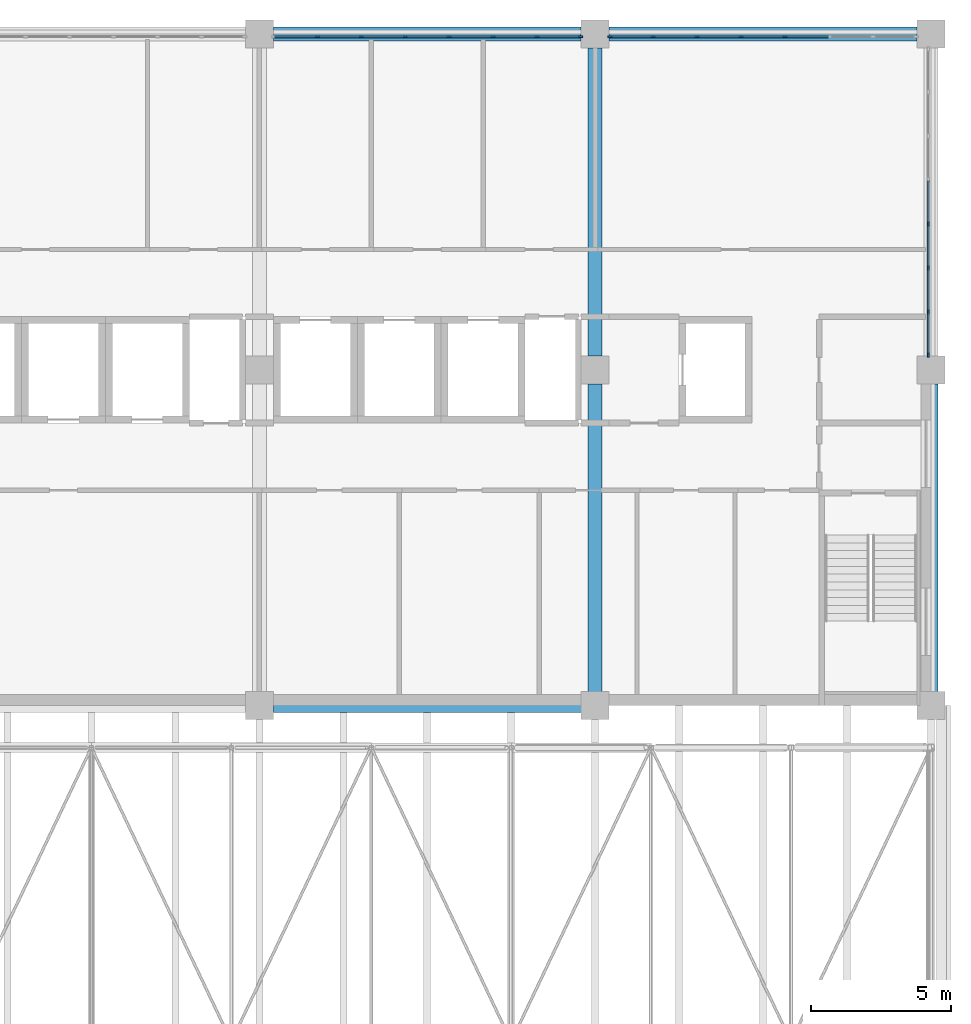
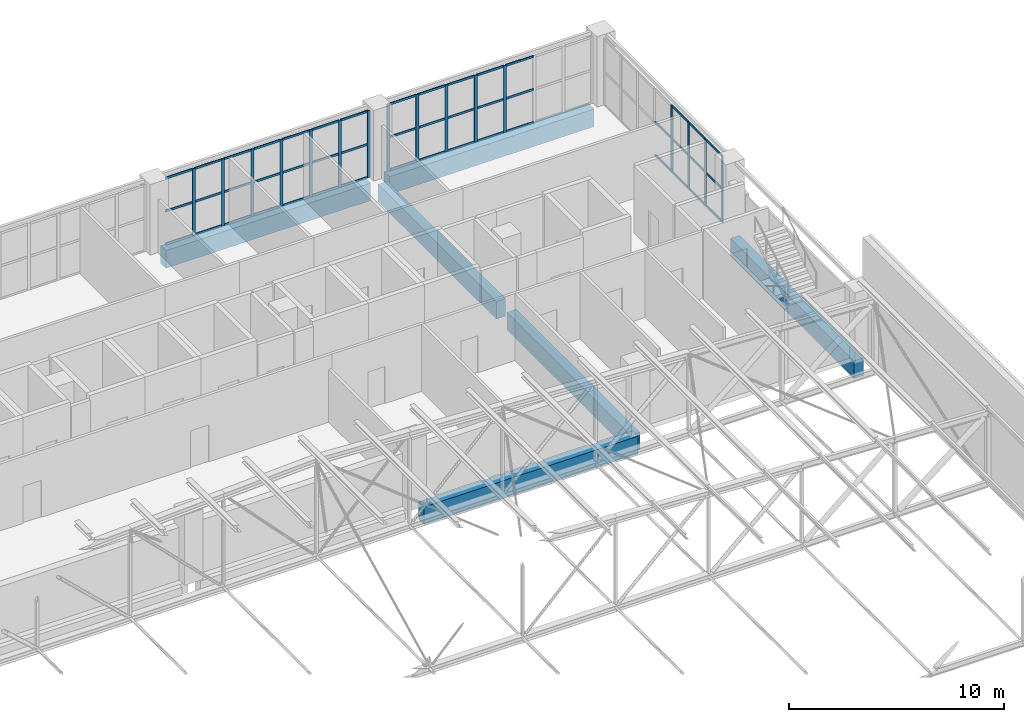
# One storey, part 132 of 156: 63 members, 6 beams, 3 elements without a shape of their own.
"""IFC4 building model written with IfcOpenShell, lengths in metres."""

from ifc_helpers import new_model, si_unit, direction, frame, origin, origin_2d, place, context, subcontext, project, spatial, rectangle, extrude, material, layer, layer_set, material_profile, profile_set, type_object, element, aggregate, save


model = new_model("IFC4")

# Units and contexts
model_context = context("Model", 3, precision=1e-05, world=origin(), true_north=direction((0.0, 1.0)))
body_context = subcontext(model_context, "Body", "Model", "MODEL_VIEW")
ifc_project = project(units=[si_unit("LENGTHUNIT", "METRE"), si_unit("AREAUNIT", "SQUARE_METRE"), si_unit("VOLUMEUNIT", "CUBIC_METRE"), si_unit("PLANEANGLEUNIT", "RADIAN"), si_unit("MASSUNIT", "GRAM", prefix="KILO")], contexts=[model_context])

# Site, building, storey
site_placement = place(None, origin())
site = spatial("IfcSite", under=ifc_project, at=site_placement, CompositionType="ELEMENT")
building_placement = place(site_placement, origin())
building = spatial("IfcBuilding", under=site, at=building_placement, Name="Lilac Gate Convention Centre", CompositionType="ELEMENT")
storey_placement = place(building_placement, frame((0.0, 0.0, 17.0)))
storey = spatial("IfcBuildingStorey", under=building, at=storey_placement, Name="L03", CompositionType="ELEMENT", Elevation=17.0)

# Curtain wall, members
ifc_material_1 = material(Name="Aluminium framed double glazing", Category="aluminium")
ifc_layer = layer(ifc_material_1, 0.199951171875)
ifc_layer_set = layer_set([ifc_layer], Name="Aluminium framed double glazing")
curtain_wall_type = type_object("IfcCurtainWallType", Name="Unitised curtain wall 1500", PredefinedType="NOTDEFINED", material=ifc_layer_set)
curtain_wall_1_placement = place(storey_placement, origin())
curtain_wall_1 = element("IfcCurtainWall", 1, at=curtain_wall_1_placement, inside=storey, type_object=curtain_wall_type, Name="Curtain wall E L03 2", PredefinedType="NOTDEFINED")
ifc_material_2 = material(Name="Aluminium alloy 6063", Category="aluminium")
ifc_material_profile_1 = material_profile(ifc_material_2, rectangle(XDim=0.06005859375, YDim=0.159912109375, at=origin_2d()), Name="Curtain wall mullion 60 x 160")
ifc_profile_set_1 = profile_set([ifc_material_profile_1], Name="Aluminium alloy 6063")
member_type_1 = type_object("IfcMemberType", Name="Curtain wall mullion 60 x 160", PredefinedType="MULLION", material=ifc_profile_set_1)
member_1_placement = place(storey_placement, frame((89.89990234375, 234.530029296875, 0.0), z_axis=(0.0, 0.0, 1.0), x_axis=(-1.0, 0.0, 0.0)))
member_1 = element("IfcMember", 2, at=member_1_placement, type_object=member_type_1, Name="CW mullion 1", PredefinedType="MULLION", context=body_context, shape_type="SweptSolid", body=[
    extrude(rectangle(XDim=0.06005859375, YDim=0.159912109375, at=origin_2d()), origin(), (0.0, 0.0, 1.0), 3.800048828125),
])
member_2_placement = place(storey_placement, frame((89.89990234375, 236.071533203125, 0.0), z_axis=(0.0, 0.0, 1.0), x_axis=(-1.0, 0.0, 0.0)))
member_2 = element("IfcMember", 3, at=member_2_placement, type_object=member_type_1, Name="CW mullion 2", PredefinedType="MULLION", context=body_context, shape_type="SweptSolid", body=[
    extrude(rectangle(XDim=0.06005859375, YDim=0.159912109375, at=origin_2d()), origin(), (0.0, 0.0, 1.0), 3.800048828125),
])
member_3_placement = place(storey_placement, frame((89.89990234375, 237.642822265625, 0.0), z_axis=(0.0, 0.0, 1.0), x_axis=(-1.0, 0.0, 0.0)))
member_3 = element("IfcMember", 4, at=member_3_placement, type_object=member_type_1, Name="CW mullion 3", PredefinedType="MULLION", context=body_context, shape_type="SweptSolid", body=[
    extrude(rectangle(XDim=0.06005859375, YDim=0.159912109375, at=origin_2d()), origin(), (0.0, 0.0, 1.0), 3.800048828125),
])
member_4_placement = place(storey_placement, frame((89.89990234375, 239.21435546875, 0.0), z_axis=(0.0, 0.0, 1.0), x_axis=(-1.0, 0.0, 0.0)))
member_4 = element("IfcMember", 5, at=member_4_placement, type_object=member_type_1, Name="CW mullion 4", PredefinedType="MULLION", context=body_context, shape_type="SweptSolid", body=[
    extrude(rectangle(XDim=0.06005859375, YDim=0.159912109375, at=origin_2d()), origin(), (0.0, 0.0, 1.0), 3.800048828125),
])

curtain_wall_2_placement = place(storey_placement, origin())
curtain_wall_2 = element("IfcCurtainWall", 6, at=curtain_wall_2_placement, inside=storey, type_object=curtain_wall_type, Name="Curtain wall N L03 1", PredefinedType="NOTDEFINED")
member_5_placement = place(storey_placement, frame((84.78564453125, 245.89990234375, 0.0), z_axis=(0.0, 0.0, 1.0), x_axis=(0.0, -1.0, 0.0)))
member_5 = element("IfcMember", 7, at=member_5_placement, type_object=member_type_1, Name="CW mullion 4", PredefinedType="MULLION", context=body_context, shape_type="SweptSolid", body=[
    extrude(rectangle(XDim=0.06005859375, YDim=0.159912109375, at=origin_2d()), origin(), (0.0, 0.0, 1.0), 3.800048828125),
])
member_6_placement = place(storey_placement, frame((83.21435546875, 245.89990234375, 0.0), z_axis=(0.0, 0.0, 1.0), x_axis=(0.0, -1.0, 0.0)))
member_6 = element("IfcMember", 8, at=member_6_placement, type_object=member_type_1, Name="CW mullion 5", PredefinedType="MULLION", context=body_context, shape_type="SweptSolid", body=[
    extrude(rectangle(XDim=0.06005859375, YDim=0.159912109375, at=origin_2d()), origin(), (0.0, 0.0, 1.0), 3.800048828125),
])
member_7_placement = place(storey_placement, frame((81.642822265625, 245.89990234375, 0.0), z_axis=(0.0, 0.0, 1.0), x_axis=(0.0, -1.0, 0.0)))
member_7 = element("IfcMember", 9, at=member_7_placement, type_object=member_type_1, Name="CW mullion 6", PredefinedType="MULLION", context=body_context, shape_type="SweptSolid", body=[
    extrude(rectangle(XDim=0.06005859375, YDim=0.159912109375, at=origin_2d()), origin(), (0.0, 0.0, 1.0), 3.800048828125),
])
member_8_placement = place(storey_placement, frame((80.071533203125, 245.89990234375, 0.0), z_axis=(0.0, 0.0, 1.0), x_axis=(0.0, -1.0, 0.0)))
member_8 = element("IfcMember", 10, at=member_8_placement, type_object=member_type_1, Name="CW mullion 7", PredefinedType="MULLION", context=body_context, shape_type="SweptSolid", body=[
    extrude(rectangle(XDim=0.06005859375, YDim=0.159912109375, at=origin_2d()), origin(), (0.0, 0.0, 1.0), 3.800048828125),
])
member_9_placement = place(storey_placement, frame((78.530029296875, 245.89990234375, 0.0), z_axis=(0.0, 0.0, 1.0), x_axis=(0.0, -1.0, 0.0)))
member_9 = element("IfcMember", 11, at=member_9_placement, type_object=member_type_1, Name="CW mullion 8", PredefinedType="MULLION", context=body_context, shape_type="SweptSolid", body=[
    extrude(rectangle(XDim=0.06005859375, YDim=0.159912109375, at=origin_2d()), origin(), (0.0, 0.0, 1.0), 3.800048828125),
])

curtain_wall_3_placement = place(storey_placement, origin())
curtain_wall_3 = element("IfcCurtainWall", 12, at=curtain_wall_3_placement, inside=storey, type_object=curtain_wall_type, Name="Curtain wall N L03 2", PredefinedType="NOTDEFINED")
member_10_placement = place(storey_placement, frame((77.469970703125, 245.89990234375, 0.0), z_axis=(0.0, 0.0, 1.0), x_axis=(0.0, -1.0, 0.0)))
member_10 = element("IfcMember", 13, at=member_10_placement, type_object=member_type_1, Name="CW mullion 1", PredefinedType="MULLION", context=body_context, shape_type="SweptSolid", body=[
    extrude(rectangle(XDim=0.06005859375, YDim=0.159912109375, at=origin_2d()), origin(), (0.0, 0.0, 1.0), 3.800048828125),
])
member_11_placement = place(storey_placement, frame((75.928466796875, 245.89990234375, 0.0), z_axis=(0.0, 0.0, 1.0), x_axis=(0.0, -1.0, 0.0)))
member_11 = element("IfcMember", 14, at=member_11_placement, type_object=member_type_1, Name="CW mullion 2", PredefinedType="MULLION", context=body_context, shape_type="SweptSolid", body=[
    extrude(rectangle(XDim=0.06005859375, YDim=0.159912109375, at=origin_2d()), origin(), (0.0, 0.0, 1.0), 3.800048828125),
])
member_12_placement = place(storey_placement, frame((74.357177734375, 245.89990234375, 0.0), z_axis=(0.0, 0.0, 1.0), x_axis=(0.0, -1.0, 0.0)))
member_12 = element("IfcMember", 15, at=member_12_placement, type_object=member_type_1, Name="CW mullion 3", PredefinedType="MULLION", context=body_context, shape_type="SweptSolid", body=[
    extrude(rectangle(XDim=0.06005859375, YDim=0.159912109375, at=origin_2d()), origin(), (0.0, 0.0, 1.0), 3.800048828125),
])
member_13_placement = place(storey_placement, frame((72.78564453125, 245.89990234375, 0.0), z_axis=(0.0, 0.0, 1.0), x_axis=(0.0, -1.0, 0.0)))
member_13 = element("IfcMember", 16, at=member_13_placement, type_object=member_type_1, Name="CW mullion 4", PredefinedType="MULLION", context=body_context, shape_type="SweptSolid", body=[
    extrude(rectangle(XDim=0.06005859375, YDim=0.159912109375, at=origin_2d()), origin(), (0.0, 0.0, 1.0), 3.800048828125),
])
member_14_placement = place(storey_placement, frame((71.21435546875, 245.89990234375, 0.0), z_axis=(0.0, 0.0, 1.0), x_axis=(0.0, -1.0, 0.0)))
member_14 = element("IfcMember", 17, at=member_14_placement, type_object=member_type_1, Name="CW mullion 5", PredefinedType="MULLION", context=body_context, shape_type="SweptSolid", body=[
    extrude(rectangle(XDim=0.06005859375, YDim=0.159912109375, at=origin_2d()), origin(), (0.0, 0.0, 1.0), 3.800048828125),
])
member_15_placement = place(storey_placement, frame((69.642822265625, 245.89990234375, 0.0), z_axis=(0.0, 0.0, 1.0), x_axis=(0.0, -1.0, 0.0)))
member_15 = element("IfcMember", 18, at=member_15_placement, type_object=member_type_1, Name="CW mullion 6", PredefinedType="MULLION", context=body_context, shape_type="SweptSolid", body=[
    extrude(rectangle(XDim=0.06005859375, YDim=0.159912109375, at=origin_2d()), origin(), (0.0, 0.0, 1.0), 3.800048828125),
])
member_16_placement = place(storey_placement, frame((68.071533203125, 245.89990234375, 0.0), z_axis=(0.0, 0.0, 1.0), x_axis=(0.0, -1.0, 0.0)))
member_16 = element("IfcMember", 19, at=member_16_placement, type_object=member_type_1, Name="CW mullion 7", PredefinedType="MULLION", context=body_context, shape_type="SweptSolid", body=[
    extrude(rectangle(XDim=0.06005859375, YDim=0.159912109375, at=origin_2d()), origin(), (0.0, 0.0, 1.0), 3.800048828125),
])

# Member
ifc_material_profile_2 = material_profile(ifc_material_2, rectangle(XDim=0.06005859375, YDim=0.1201171875, at=origin_2d()), Name="Curtain wall transom 60 x 120")
ifc_profile_set_2 = profile_set([ifc_material_profile_2], Name="Aluminium alloy 6063")
member_type_2 = type_object("IfcMemberType", Name="Curtain wall transom 60 x 120", PredefinedType="USERDEFINED", material=ifc_profile_set_2)
member_17_placement = place(storey_placement, frame((89.89990234375, 234.56005859375, 0.030029296875), z_axis=(0.0, 1.0, 0.0), x_axis=(-1.0, 0.0, 0.0)))
member_17 = element("IfcMember", 20, at=member_17_placement, type_object=member_type_2, Name="CW transom 1.1", ObjectType="TRANSOM", PredefinedType="USERDEFINED", context=body_context, shape_type="SweptSolid", body=[
    extrude(rectangle(XDim=0.06005859375, YDim=0.1201171875, at=origin_2d()), origin(), (0.0, 0.0, 1.0), 1.4814453125),
])

member_18_placement = place(storey_placement, frame((89.89990234375, 234.56005859375, 1.89990234375), z_axis=(0.0, 1.0, 0.0), x_axis=(-1.0, 0.0, 0.0)))
member_18 = element("IfcMember", 21, at=member_18_placement, type_object=member_type_2, Name="CW transom 1.2", ObjectType="TRANSOM", PredefinedType="USERDEFINED", context=body_context, shape_type="SweptSolid", body=[
    extrude(rectangle(XDim=0.06005859375, YDim=0.1201171875, at=origin_2d()), origin(), (0.0, 0.0, 1.0), 1.4814453125),
])

member_19_placement = place(storey_placement, frame((89.89990234375, 234.56005859375, 3.77001953125), z_axis=(0.0, 1.0, 0.0), x_axis=(-1.0, 0.0, 0.0)))
member_19 = element("IfcMember", 22, at=member_19_placement, type_object=member_type_2, Name="CW transom 1.3", ObjectType="TRANSOM", PredefinedType="USERDEFINED", context=body_context, shape_type="SweptSolid", body=[
    extrude(rectangle(XDim=0.06005859375, YDim=0.1201171875, at=origin_2d()), origin(), (0.0, 0.0, 1.0), 1.4814453125),
])

member_20_placement = place(storey_placement, frame((89.89990234375, 236.101318359375, 0.030029296875), z_axis=(0.0, 1.0, 0.0), x_axis=(-1.0, 0.0, 0.0)))
member_20 = element("IfcMember", 23, at=member_20_placement, type_object=member_type_2, Name="CW transom 2.1", ObjectType="TRANSOM", PredefinedType="USERDEFINED", context=body_context, shape_type="SweptSolid", body=[
    extrude(rectangle(XDim=0.06005859375, YDim=0.1201171875, at=origin_2d()), origin(), (0.0, 0.0, 1.0), 1.511474609375),
])

member_21_placement = place(storey_placement, frame((89.89990234375, 236.101318359375, 1.89990234375), z_axis=(0.0, 1.0, 0.0), x_axis=(-1.0, 0.0, 0.0)))
member_21 = element("IfcMember", 24, at=member_21_placement, type_object=member_type_2, Name="CW transom 2.2", ObjectType="TRANSOM", PredefinedType="USERDEFINED", context=body_context, shape_type="SweptSolid", body=[
    extrude(rectangle(XDim=0.06005859375, YDim=0.1201171875, at=origin_2d()), origin(), (0.0, 0.0, 1.0), 1.511474609375),
])

member_22_placement = place(storey_placement, frame((89.89990234375, 236.101318359375, 3.77001953125), z_axis=(0.0, 1.0, 0.0), x_axis=(-1.0, 0.0, 0.0)))
member_22 = element("IfcMember", 25, at=member_22_placement, type_object=member_type_2, Name="CW transom 2.3", ObjectType="TRANSOM", PredefinedType="USERDEFINED", context=body_context, shape_type="SweptSolid", body=[
    extrude(rectangle(XDim=0.06005859375, YDim=0.1201171875, at=origin_2d()), origin(), (0.0, 0.0, 1.0), 1.511474609375),
])

member_23_placement = place(storey_placement, frame((89.89990234375, 237.6728515625, 0.030029296875), z_axis=(0.0, 1.0, 0.0), x_axis=(-1.0, 0.0, 0.0)))
member_23 = element("IfcMember", 26, at=member_23_placement, type_object=member_type_2, Name="CW transom 3.1", ObjectType="TRANSOM", PredefinedType="USERDEFINED", context=body_context, shape_type="SweptSolid", body=[
    extrude(rectangle(XDim=0.06005859375, YDim=0.1201171875, at=origin_2d()), origin(), (0.0, 0.0, 1.0), 1.511474609375),
])

member_24_placement = place(storey_placement, frame((89.89990234375, 237.6728515625, 1.89990234375), z_axis=(0.0, 1.0, 0.0), x_axis=(-1.0, 0.0, 0.0)))
member_24 = element("IfcMember", 27, at=member_24_placement, type_object=member_type_2, Name="CW transom 3.2", ObjectType="TRANSOM", PredefinedType="USERDEFINED", context=body_context, shape_type="SweptSolid", body=[
    extrude(rectangle(XDim=0.06005859375, YDim=0.1201171875, at=origin_2d()), origin(), (0.0, 0.0, 1.0), 1.511474609375),
])

member_25_placement = place(storey_placement, frame((89.89990234375, 237.6728515625, 3.77001953125), z_axis=(0.0, 1.0, 0.0), x_axis=(-1.0, 0.0, 0.0)))
member_25 = element("IfcMember", 28, at=member_25_placement, type_object=member_type_2, Name="CW transom 3.3", ObjectType="TRANSOM", PredefinedType="USERDEFINED", context=body_context, shape_type="SweptSolid", body=[
    extrude(rectangle(XDim=0.06005859375, YDim=0.1201171875, at=origin_2d()), origin(), (0.0, 0.0, 1.0), 1.511474609375),
])

member_26_placement = place(storey_placement, frame((89.89990234375, 239.244384765625, 0.030029296875), z_axis=(0.0, 1.0, 0.0), x_axis=(-1.0, 0.0, 0.0)))
member_26 = element("IfcMember", 29, at=member_26_placement, type_object=member_type_2, Name="CW transom 4.1", ObjectType="TRANSOM", PredefinedType="USERDEFINED", context=body_context, shape_type="SweptSolid", body=[
    extrude(rectangle(XDim=0.06005859375, YDim=0.1201171875, at=origin_2d()), origin(), (0.0, 0.0, 1.0), 1.51123046875),
])

member_27_placement = place(storey_placement, frame((89.89990234375, 239.244384765625, 1.89990234375), z_axis=(0.0, 1.0, 0.0), x_axis=(-1.0, 0.0, 0.0)))
member_27 = element("IfcMember", 30, at=member_27_placement, type_object=member_type_2, Name="CW transom 4.2", ObjectType="TRANSOM", PredefinedType="USERDEFINED", context=body_context, shape_type="SweptSolid", body=[
    extrude(rectangle(XDim=0.06005859375, YDim=0.1201171875, at=origin_2d()), origin(), (0.0, 0.0, 1.0), 1.51123046875),
])

aggregate(curtain_wall_1, [member_1, member_2, member_3, member_4, member_17, member_18, member_19, member_20, member_21, member_22, member_23, member_24, member_25, member_26, member_27])

member_28_placement = place(storey_placement, frame((86.3271484375, 245.89990234375, 0.030029296875), z_axis=(-1.0, 0.0, 0.0), x_axis=(0.0, -1.0, 0.0)))
member_28 = element("IfcMember", 31, at=member_28_placement, type_object=member_type_2, Name="CW transom 3.1", ObjectType="TRANSOM", PredefinedType="USERDEFINED", context=body_context, shape_type="SweptSolid", body=[
    extrude(rectangle(XDim=0.06005859375, YDim=0.1201171875, at=origin_2d()), origin(), (0.0, 0.0, 1.0), 1.511474609375),
])

member_29_placement = place(storey_placement, frame((86.3271484375, 245.89990234375, 1.89990234375), z_axis=(-1.0, 0.0, 0.0), x_axis=(0.0, -1.0, 0.0)))
member_29 = element("IfcMember", 32, at=member_29_placement, type_object=member_type_2, Name="CW transom 3.2", ObjectType="TRANSOM", PredefinedType="USERDEFINED", context=body_context, shape_type="SweptSolid", body=[
    extrude(rectangle(XDim=0.06005859375, YDim=0.1201171875, at=origin_2d()), origin(), (0.0, 0.0, 1.0), 1.511474609375),
])

member_30_placement = place(storey_placement, frame((86.3271484375, 245.89990234375, 3.77001953125), z_axis=(-1.0, 0.0, 0.0), x_axis=(0.0, -1.0, 0.0)))
member_30 = element("IfcMember", 33, at=member_30_placement, type_object=member_type_2, Name="CW transom 3.3", ObjectType="TRANSOM", PredefinedType="USERDEFINED", context=body_context, shape_type="SweptSolid", body=[
    extrude(rectangle(XDim=0.06005859375, YDim=0.1201171875, at=origin_2d()), origin(), (0.0, 0.0, 1.0), 1.511474609375),
])

member_31_placement = place(storey_placement, frame((84.755615234375, 245.89990234375, 0.030029296875), z_axis=(-1.0, 0.0, 0.0), x_axis=(0.0, -1.0, 0.0)))
member_31 = element("IfcMember", 34, at=member_31_placement, type_object=member_type_2, Name="CW transom 4.1", ObjectType="TRANSOM", PredefinedType="USERDEFINED", context=body_context, shape_type="SweptSolid", body=[
    extrude(rectangle(XDim=0.06005859375, YDim=0.1201171875, at=origin_2d()), origin(), (0.0, 0.0, 1.0), 1.51123046875),
])

member_32_placement = place(storey_placement, frame((84.755615234375, 245.89990234375, 1.89990234375), z_axis=(-1.0, 0.0, 0.0), x_axis=(0.0, -1.0, 0.0)))
member_32 = element("IfcMember", 35, at=member_32_placement, type_object=member_type_2, Name="CW transom 4.2", ObjectType="TRANSOM", PredefinedType="USERDEFINED", context=body_context, shape_type="SweptSolid", body=[
    extrude(rectangle(XDim=0.06005859375, YDim=0.1201171875, at=origin_2d()), origin(), (0.0, 0.0, 1.0), 1.51123046875),
])

member_33_placement = place(storey_placement, frame((84.755615234375, 245.89990234375, 3.77001953125), z_axis=(-1.0, 0.0, 0.0), x_axis=(0.0, -1.0, 0.0)))
member_33 = element("IfcMember", 36, at=member_33_placement, type_object=member_type_2, Name="CW transom 4.3", ObjectType="TRANSOM", PredefinedType="USERDEFINED", context=body_context, shape_type="SweptSolid", body=[
    extrude(rectangle(XDim=0.06005859375, YDim=0.1201171875, at=origin_2d()), origin(), (0.0, 0.0, 1.0), 1.51123046875),
])

member_34_placement = place(storey_placement, frame((83.184326171875, 245.89990234375, 0.030029296875), z_axis=(-1.0, 0.0, 0.0), x_axis=(0.0, -1.0, 0.0)))
member_34 = element("IfcMember", 37, at=member_34_placement, type_object=member_type_2, Name="CW transom 5.1", ObjectType="TRANSOM", PredefinedType="USERDEFINED", context=body_context, shape_type="SweptSolid", body=[
    extrude(rectangle(XDim=0.06005859375, YDim=0.1201171875, at=origin_2d()), origin(), (0.0, 0.0, 1.0), 1.511474609375),
])

member_35_placement = place(storey_placement, frame((83.184326171875, 245.89990234375, 1.89990234375), z_axis=(-1.0, 0.0, 0.0), x_axis=(0.0, -1.0, 0.0)))
member_35 = element("IfcMember", 38, at=member_35_placement, type_object=member_type_2, Name="CW transom 5.2", ObjectType="TRANSOM", PredefinedType="USERDEFINED", context=body_context, shape_type="SweptSolid", body=[
    extrude(rectangle(XDim=0.06005859375, YDim=0.1201171875, at=origin_2d()), origin(), (0.0, 0.0, 1.0), 1.511474609375),
])

member_36_placement = place(storey_placement, frame((83.184326171875, 245.89990234375, 3.77001953125), z_axis=(-1.0, 0.0, 0.0), x_axis=(0.0, -1.0, 0.0)))
member_36 = element("IfcMember", 39, at=member_36_placement, type_object=member_type_2, Name="CW transom 5.3", ObjectType="TRANSOM", PredefinedType="USERDEFINED", context=body_context, shape_type="SweptSolid", body=[
    extrude(rectangle(XDim=0.06005859375, YDim=0.1201171875, at=origin_2d()), origin(), (0.0, 0.0, 1.0), 1.511474609375),
])

member_37_placement = place(storey_placement, frame((81.61279296875, 245.89990234375, 0.030029296875), z_axis=(-1.0, 0.0, 0.0), x_axis=(0.0, -1.0, 0.0)))
member_37 = element("IfcMember", 40, at=member_37_placement, type_object=member_type_2, Name="CW transom 6.1", ObjectType="TRANSOM", PredefinedType="USERDEFINED", context=body_context, shape_type="SweptSolid", body=[
    extrude(rectangle(XDim=0.06005859375, YDim=0.1201171875, at=origin_2d()), origin(), (0.0, 0.0, 1.0), 1.511474609375),
])

member_38_placement = place(storey_placement, frame((81.61279296875, 245.89990234375, 1.89990234375), z_axis=(-1.0, 0.0, 0.0), x_axis=(0.0, -1.0, 0.0)))
member_38 = element("IfcMember", 41, at=member_38_placement, type_object=member_type_2, Name="CW transom 6.2", ObjectType="TRANSOM", PredefinedType="USERDEFINED", context=body_context, shape_type="SweptSolid", body=[
    extrude(rectangle(XDim=0.06005859375, YDim=0.1201171875, at=origin_2d()), origin(), (0.0, 0.0, 1.0), 1.511474609375),
])

member_39_placement = place(storey_placement, frame((81.61279296875, 245.89990234375, 3.77001953125), z_axis=(-1.0, 0.0, 0.0), x_axis=(0.0, -1.0, 0.0)))
member_39 = element("IfcMember", 42, at=member_39_placement, type_object=member_type_2, Name="CW transom 6.3", ObjectType="TRANSOM", PredefinedType="USERDEFINED", context=body_context, shape_type="SweptSolid", body=[
    extrude(rectangle(XDim=0.06005859375, YDim=0.1201171875, at=origin_2d()), origin(), (0.0, 0.0, 1.0), 1.511474609375),
])

member_40_placement = place(storey_placement, frame((80.04150390625, 245.89990234375, 0.030029296875), z_axis=(-1.0, 0.0, 0.0), x_axis=(0.0, -1.0, 0.0)))
member_40 = element("IfcMember", 43, at=member_40_placement, type_object=member_type_2, Name="CW transom 7.1", ObjectType="TRANSOM", PredefinedType="USERDEFINED", context=body_context, shape_type="SweptSolid", body=[
    extrude(rectangle(XDim=0.06005859375, YDim=0.1201171875, at=origin_2d()), origin(), (0.0, 0.0, 1.0), 1.4814453125),
])

member_41_placement = place(storey_placement, frame((80.04150390625, 245.89990234375, 1.89990234375), z_axis=(-1.0, 0.0, 0.0), x_axis=(0.0, -1.0, 0.0)))
member_41 = element("IfcMember", 44, at=member_41_placement, type_object=member_type_2, Name="CW transom 7.2", ObjectType="TRANSOM", PredefinedType="USERDEFINED", context=body_context, shape_type="SweptSolid", body=[
    extrude(rectangle(XDim=0.06005859375, YDim=0.1201171875, at=origin_2d()), origin(), (0.0, 0.0, 1.0), 1.4814453125),
])

member_42_placement = place(storey_placement, frame((80.04150390625, 245.89990234375, 3.77001953125), z_axis=(-1.0, 0.0, 0.0), x_axis=(0.0, -1.0, 0.0)))
member_42 = element("IfcMember", 45, at=member_42_placement, type_object=member_type_2, Name="CW transom 7.3", ObjectType="TRANSOM", PredefinedType="USERDEFINED", context=body_context, shape_type="SweptSolid", body=[
    extrude(rectangle(XDim=0.06005859375, YDim=0.1201171875, at=origin_2d()), origin(), (0.0, 0.0, 1.0), 1.4814453125),
])

aggregate(curtain_wall_2, [member_5, member_6, member_7, member_8, member_9, member_28, member_29, member_30, member_31, member_32, member_33, member_34, member_35, member_36, member_37, member_38, member_39, member_40, member_41, member_42])

member_43_placement = place(storey_placement, frame((77.43994140625, 245.89990234375, 0.030029296875), z_axis=(-1.0, 0.0, 0.0), x_axis=(0.0, -1.0, 0.0)))
member_43 = element("IfcMember", 46, at=member_43_placement, type_object=member_type_2, Name="CW transom 1.1", ObjectType="TRANSOM", PredefinedType="USERDEFINED", context=body_context, shape_type="SweptSolid", body=[
    extrude(rectangle(XDim=0.06005859375, YDim=0.1201171875, at=origin_2d()), origin(), (0.0, 0.0, 1.0), 1.4814453125),
])

member_44_placement = place(storey_placement, frame((77.43994140625, 245.89990234375, 1.89990234375), z_axis=(-1.0, 0.0, 0.0), x_axis=(0.0, -1.0, 0.0)))
member_44 = element("IfcMember", 47, at=member_44_placement, type_object=member_type_2, Name="CW transom 1.2", ObjectType="TRANSOM", PredefinedType="USERDEFINED", context=body_context, shape_type="SweptSolid", body=[
    extrude(rectangle(XDim=0.06005859375, YDim=0.1201171875, at=origin_2d()), origin(), (0.0, 0.0, 1.0), 1.4814453125),
])

member_45_placement = place(storey_placement, frame((77.43994140625, 245.89990234375, 3.77001953125), z_axis=(-1.0, 0.0, 0.0), x_axis=(0.0, -1.0, 0.0)))
member_45 = element("IfcMember", 48, at=member_45_placement, type_object=member_type_2, Name="CW transom 1.3", ObjectType="TRANSOM", PredefinedType="USERDEFINED", context=body_context, shape_type="SweptSolid", body=[
    extrude(rectangle(XDim=0.06005859375, YDim=0.1201171875, at=origin_2d()), origin(), (0.0, 0.0, 1.0), 1.4814453125),
])

member_46_placement = place(storey_placement, frame((75.898681640625, 245.89990234375, 0.030029296875), z_axis=(-1.0, 0.0, 0.0), x_axis=(0.0, -1.0, 0.0)))
member_46 = element("IfcMember", 49, at=member_46_placement, type_object=member_type_2, Name="CW transom 2.1", ObjectType="TRANSOM", PredefinedType="USERDEFINED", context=body_context, shape_type="SweptSolid", body=[
    extrude(rectangle(XDim=0.06005859375, YDim=0.1201171875, at=origin_2d()), origin(), (0.0, 0.0, 1.0), 1.511474609375),
])

member_47_placement = place(storey_placement, frame((75.898681640625, 245.89990234375, 1.89990234375), z_axis=(-1.0, 0.0, 0.0), x_axis=(0.0, -1.0, 0.0)))
member_47 = element("IfcMember", 50, at=member_47_placement, type_object=member_type_2, Name="CW transom 2.2", ObjectType="TRANSOM", PredefinedType="USERDEFINED", context=body_context, shape_type="SweptSolid", body=[
    extrude(rectangle(XDim=0.06005859375, YDim=0.1201171875, at=origin_2d()), origin(), (0.0, 0.0, 1.0), 1.511474609375),
])

member_48_placement = place(storey_placement, frame((75.898681640625, 245.89990234375, 3.77001953125), z_axis=(-1.0, 0.0, 0.0), x_axis=(0.0, -1.0, 0.0)))
member_48 = element("IfcMember", 51, at=member_48_placement, type_object=member_type_2, Name="CW transom 2.3", ObjectType="TRANSOM", PredefinedType="USERDEFINED", context=body_context, shape_type="SweptSolid", body=[
    extrude(rectangle(XDim=0.06005859375, YDim=0.1201171875, at=origin_2d()), origin(), (0.0, 0.0, 1.0), 1.511474609375),
])

member_49_placement = place(storey_placement, frame((74.3271484375, 245.89990234375, 0.030029296875), z_axis=(-1.0, 0.0, 0.0), x_axis=(0.0, -1.0, 0.0)))
member_49 = element("IfcMember", 52, at=member_49_placement, type_object=member_type_2, Name="CW transom 3.1", ObjectType="TRANSOM", PredefinedType="USERDEFINED", context=body_context, shape_type="SweptSolid", body=[
    extrude(rectangle(XDim=0.06005859375, YDim=0.1201171875, at=origin_2d()), origin(), (0.0, 0.0, 1.0), 1.511474609375),
])

member_50_placement = place(storey_placement, frame((74.3271484375, 245.89990234375, 1.89990234375), z_axis=(-1.0, 0.0, 0.0), x_axis=(0.0, -1.0, 0.0)))
member_50 = element("IfcMember", 53, at=member_50_placement, type_object=member_type_2, Name="CW transom 3.2", ObjectType="TRANSOM", PredefinedType="USERDEFINED", context=body_context, shape_type="SweptSolid", body=[
    extrude(rectangle(XDim=0.06005859375, YDim=0.1201171875, at=origin_2d()), origin(), (0.0, 0.0, 1.0), 1.511474609375),
])

member_51_placement = place(storey_placement, frame((74.3271484375, 245.89990234375, 3.77001953125), z_axis=(-1.0, 0.0, 0.0), x_axis=(0.0, -1.0, 0.0)))
member_51 = element("IfcMember", 54, at=member_51_placement, type_object=member_type_2, Name="CW transom 3.3", ObjectType="TRANSOM", PredefinedType="USERDEFINED", context=body_context, shape_type="SweptSolid", body=[
    extrude(rectangle(XDim=0.06005859375, YDim=0.1201171875, at=origin_2d()), origin(), (0.0, 0.0, 1.0), 1.511474609375),
])

member_52_placement = place(storey_placement, frame((72.755615234375, 245.89990234375, 0.030029296875), z_axis=(-1.0, 0.0, 0.0), x_axis=(0.0, -1.0, 0.0)))
member_52 = element("IfcMember", 55, at=member_52_placement, type_object=member_type_2, Name="CW transom 4.1", ObjectType="TRANSOM", PredefinedType="USERDEFINED", context=body_context, shape_type="SweptSolid", body=[
    extrude(rectangle(XDim=0.06005859375, YDim=0.1201171875, at=origin_2d()), origin(), (0.0, 0.0, 1.0), 1.51123046875),
])

member_53_placement = place(storey_placement, frame((72.755615234375, 245.89990234375, 1.89990234375), z_axis=(-1.0, 0.0, 0.0), x_axis=(0.0, -1.0, 0.0)))
member_53 = element("IfcMember", 56, at=member_53_placement, type_object=member_type_2, Name="CW transom 4.2", ObjectType="TRANSOM", PredefinedType="USERDEFINED", context=body_context, shape_type="SweptSolid", body=[
    extrude(rectangle(XDim=0.06005859375, YDim=0.1201171875, at=origin_2d()), origin(), (0.0, 0.0, 1.0), 1.51123046875),
])

member_54_placement = place(storey_placement, frame((72.755615234375, 245.89990234375, 3.77001953125), z_axis=(-1.0, 0.0, 0.0), x_axis=(0.0, -1.0, 0.0)))
member_54 = element("IfcMember", 57, at=member_54_placement, type_object=member_type_2, Name="CW transom 4.3", ObjectType="TRANSOM", PredefinedType="USERDEFINED", context=body_context, shape_type="SweptSolid", body=[
    extrude(rectangle(XDim=0.06005859375, YDim=0.1201171875, at=origin_2d()), origin(), (0.0, 0.0, 1.0), 1.51123046875),
])

member_55_placement = place(storey_placement, frame((71.184326171875, 245.89990234375, 0.030029296875), z_axis=(-1.0, 0.0, 0.0), x_axis=(0.0, -1.0, 0.0)))
member_55 = element("IfcMember", 58, at=member_55_placement, type_object=member_type_2, Name="CW transom 5.1", ObjectType="TRANSOM", PredefinedType="USERDEFINED", context=body_context, shape_type="SweptSolid", body=[
    extrude(rectangle(XDim=0.06005859375, YDim=0.1201171875, at=origin_2d()), origin(), (0.0, 0.0, 1.0), 1.511474609375),
])

member_56_placement = place(storey_placement, frame((71.184326171875, 245.89990234375, 1.89990234375), z_axis=(-1.0, 0.0, 0.0), x_axis=(0.0, -1.0, 0.0)))
member_56 = element("IfcMember", 59, at=member_56_placement, type_object=member_type_2, Name="CW transom 5.2", ObjectType="TRANSOM", PredefinedType="USERDEFINED", context=body_context, shape_type="SweptSolid", body=[
    extrude(rectangle(XDim=0.06005859375, YDim=0.1201171875, at=origin_2d()), origin(), (0.0, 0.0, 1.0), 1.511474609375),
])

member_57_placement = place(storey_placement, frame((71.184326171875, 245.89990234375, 3.77001953125), z_axis=(-1.0, 0.0, 0.0), x_axis=(0.0, -1.0, 0.0)))
member_57 = element("IfcMember", 60, at=member_57_placement, type_object=member_type_2, Name="CW transom 5.3", ObjectType="TRANSOM", PredefinedType="USERDEFINED", context=body_context, shape_type="SweptSolid", body=[
    extrude(rectangle(XDim=0.06005859375, YDim=0.1201171875, at=origin_2d()), origin(), (0.0, 0.0, 1.0), 1.511474609375),
])

member_58_placement = place(storey_placement, frame((69.61279296875, 245.89990234375, 0.030029296875), z_axis=(-1.0, 0.0, 0.0), x_axis=(0.0, -1.0, 0.0)))
member_58 = element("IfcMember", 61, at=member_58_placement, type_object=member_type_2, Name="CW transom 6.1", ObjectType="TRANSOM", PredefinedType="USERDEFINED", context=body_context, shape_type="SweptSolid", body=[
    extrude(rectangle(XDim=0.06005859375, YDim=0.1201171875, at=origin_2d()), origin(), (0.0, 0.0, 1.0), 1.511474609375),
])

member_59_placement = place(storey_placement, frame((69.61279296875, 245.89990234375, 1.89990234375), z_axis=(-1.0, 0.0, 0.0), x_axis=(0.0, -1.0, 0.0)))
member_59 = element("IfcMember", 62, at=member_59_placement, type_object=member_type_2, Name="CW transom 6.2", ObjectType="TRANSOM", PredefinedType="USERDEFINED", context=body_context, shape_type="SweptSolid", body=[
    extrude(rectangle(XDim=0.06005859375, YDim=0.1201171875, at=origin_2d()), origin(), (0.0, 0.0, 1.0), 1.511474609375),
])

member_60_placement = place(storey_placement, frame((69.61279296875, 245.89990234375, 3.77001953125), z_axis=(-1.0, 0.0, 0.0), x_axis=(0.0, -1.0, 0.0)))
member_60 = element("IfcMember", 63, at=member_60_placement, type_object=member_type_2, Name="CW transom 6.3", ObjectType="TRANSOM", PredefinedType="USERDEFINED", context=body_context, shape_type="SweptSolid", body=[
    extrude(rectangle(XDim=0.06005859375, YDim=0.1201171875, at=origin_2d()), origin(), (0.0, 0.0, 1.0), 1.511474609375),
])

member_61_placement = place(storey_placement, frame((68.04150390625, 245.89990234375, 0.030029296875), z_axis=(-1.0, 0.0, 0.0), x_axis=(0.0, -1.0, 0.0)))
member_61 = element("IfcMember", 64, at=member_61_placement, type_object=member_type_2, Name="CW transom 7.1", ObjectType="TRANSOM", PredefinedType="USERDEFINED", context=body_context, shape_type="SweptSolid", body=[
    extrude(rectangle(XDim=0.06005859375, YDim=0.1201171875, at=origin_2d()), origin(), (0.0, 0.0, 1.0), 1.4814453125),
])

member_62_placement = place(storey_placement, frame((68.04150390625, 245.89990234375, 1.89990234375), z_axis=(-1.0, 0.0, 0.0), x_axis=(0.0, -1.0, 0.0)))
member_62 = element("IfcMember", 65, at=member_62_placement, type_object=member_type_2, Name="CW transom 7.2", ObjectType="TRANSOM", PredefinedType="USERDEFINED", context=body_context, shape_type="SweptSolid", body=[
    extrude(rectangle(XDim=0.06005859375, YDim=0.1201171875, at=origin_2d()), origin(), (0.0, 0.0, 1.0), 1.4814453125),
])

member_63_placement = place(storey_placement, frame((68.04150390625, 245.89990234375, 3.77001953125), z_axis=(-1.0, 0.0, 0.0), x_axis=(0.0, -1.0, 0.0)))
member_63 = element("IfcMember", 66, at=member_63_placement, type_object=member_type_2, Name="CW transom 7.3", ObjectType="TRANSOM", PredefinedType="USERDEFINED", context=body_context, shape_type="SweptSolid", body=[
    extrude(rectangle(XDim=0.06005859375, YDim=0.1201171875, at=origin_2d()), origin(), (0.0, 0.0, 1.0), 1.4814453125),
])

aggregate(curtain_wall_3, [member_10, member_11, member_12, member_13, member_14, member_15, member_16, member_43, member_44, member_45, member_46, member_47, member_48, member_49, member_50, member_51, member_52, member_53, member_54, member_55, member_56, member_57, member_58, member_59, member_60, member_61, member_62, member_63])

# Beams
ifc_material_3 = material(Name="Concrete C40", Category="concrete")
ifc_material_profile_3 = material_profile(ifc_material_3, rectangle(XDim=0.5, YDim=1.0, at=origin_2d()), Name="RC 500x1000")
ifc_profile_set_3 = profile_set([ifc_material_profile_3], Name="Concrete C40")
beam_type = type_object("IfcBeamType", Name="Primary beam 500x1000 C40", PredefinedType="BEAM", material=ifc_profile_set_3)
beam_1_placement = place(storey_placement, frame((66.5, 222.0, -0.75), z_axis=(1.0, 0.0, 0.0), x_axis=(0.0, 1.0, 0.0)))
element("IfcBeam", 67, at=beam_1_placement, inside=storey, type_object=beam_type, Name="RB1 L03 6/S-7/S", PredefinedType="BEAM", context=body_context, shape_type="SweptSolid", body=[
    extrude(rectangle(XDim=0.5, YDim=1.0, at=origin_2d()), origin(), (0.0, 0.0, 1.0), 11.5),
])
for number, where, z_axis, x_axis, name in (
    (68, (66.5, 246.0, -0.75), (1.0, 0.0, 0.0), (0.0, 1.0, 0.0), "RB1 L03 6/U-7/U"),
    (69, (78.5, 246.0, -0.75), (1.0, 0.0, 0.0), (0.0, 1.0, 0.0), "RB1 L03 7/U-8/U"),
):
    element("IfcBeam", number, at=place(storey_placement, frame(where, z_axis=z_axis, x_axis=x_axis)), inside=storey, type_object=beam_type, Name=name, PredefinedType="BEAM", context=body_context, shape_type="SweptSolid", body=[
        extrude(rectangle(XDim=0.5, YDim=1.0, at=origin_2d()), origin(), (0.0, 0.0, 1.0), 11.0),
    ])
beam_2_placement = place(storey_placement, frame((78.0, 222.0, -0.75), z_axis=(0.0, 1.0, 0.0), x_axis=(-1.0, 0.0, 0.0)))
element("IfcBeam", 70, at=beam_2_placement, inside=storey, type_object=beam_type, Name="RB1 L03 7/S-7/T", PredefinedType="BEAM", context=body_context, shape_type="SweptSolid", body=[
    extrude(rectangle(XDim=0.5, YDim=1.0, at=origin_2d()), origin(), (0.0, 0.0, 1.0), 11.5),
])
beam_3_placement = place(storey_placement, frame((78.0, 234.5, -0.75), z_axis=(0.0, 1.0, 0.0), x_axis=(-1.0, 0.0, 0.0)))
element("IfcBeam", 71, at=beam_3_placement, inside=storey, type_object=beam_type, Name="RB1 L03 7/T-7/U", PredefinedType="BEAM", context=body_context, shape_type="SweptSolid", body=[
    extrude(rectangle(XDim=0.5, YDim=1.0, at=origin_2d()), origin(), (0.0, 0.0, 1.0), 11.0),
])
beam_4_placement = place(storey_placement, frame((90.0, 222.0, -0.75), z_axis=(0.0, 1.0, 0.0), x_axis=(-1.0, 0.0, 0.0)))
element("IfcBeam", 72, at=beam_4_placement, inside=storey, type_object=beam_type, Name="RB1 L03 8/S-8/T", PredefinedType="BEAM", context=body_context, shape_type="SweptSolid", body=[
    extrude(rectangle(XDim=0.5, YDim=1.0, at=origin_2d()), origin(), (0.0, 0.0, 1.0), 11.5),
])

save(model, "model.ifc")
